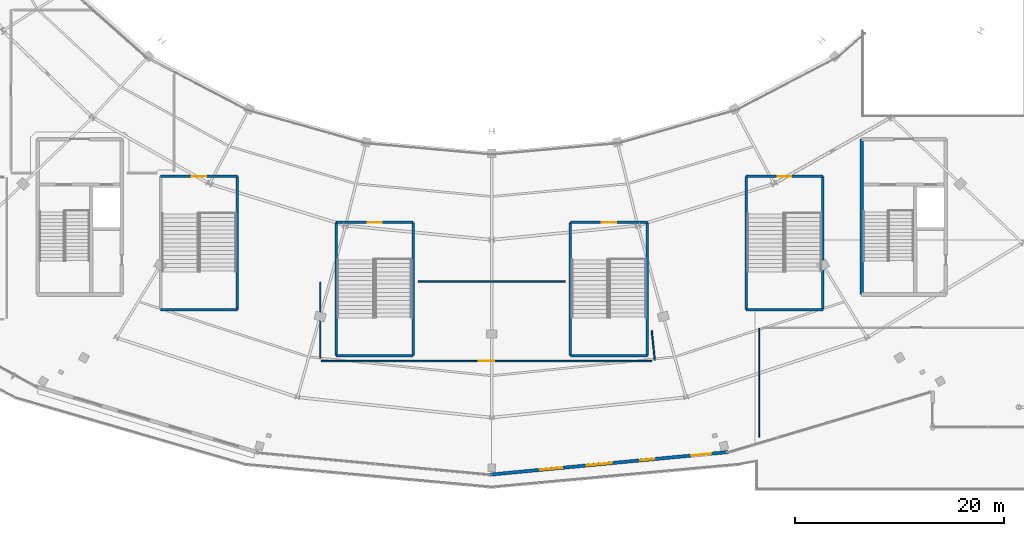
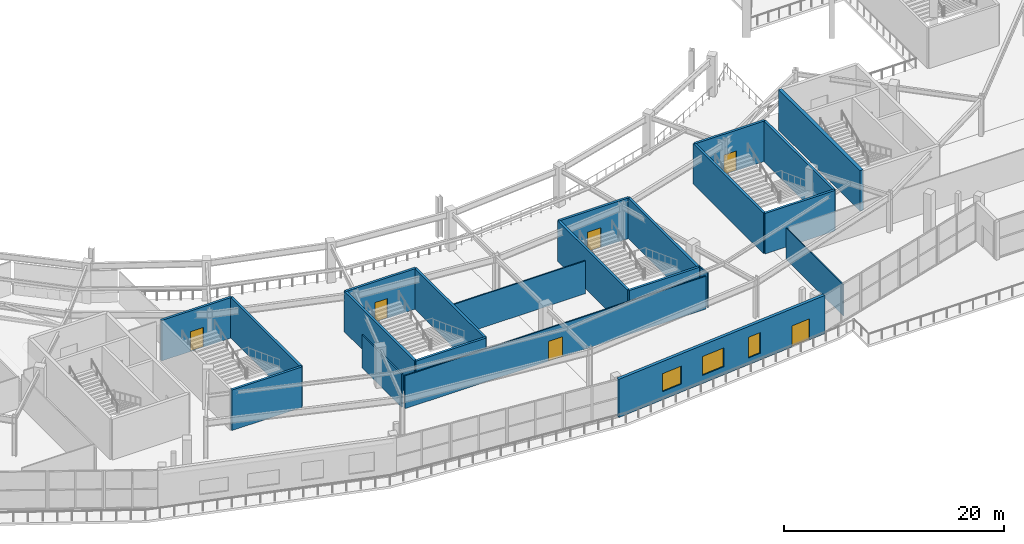
# One storey, part 76 of 107: 22 walls, 6 doors, 3 windows, 9 openings.
"""IFC4 building model written with IfcOpenShell, lengths in metres."""

from ifc_helpers import new_model, si_unit, direction, frame, frame_2d, origin, place, context, subcontext, project, spatial, rectangle, extrude, material, layer, layer_set, type_object, element, fill, save


model = new_model("IFC4")

# Units and contexts
model_context = context("Model", 3, precision=1e-05, world=origin(), true_north=direction((0.0, 1.0)))
body_context = subcontext(model_context, "Body", "Model", "MODEL_VIEW")
ifc_project = project(units=[si_unit("LENGTHUNIT", "METRE"), si_unit("AREAUNIT", "SQUARE_METRE"), si_unit("VOLUMEUNIT", "CUBIC_METRE"), si_unit("PLANEANGLEUNIT", "RADIAN"), si_unit("MASSUNIT", "GRAM", prefix="KILO")], contexts=[model_context])

# Site, building, storey
site_placement = place(None, origin())
site = spatial("IfcSite", under=ifc_project, at=site_placement, CompositionType="ELEMENT")
building_placement = place(site_placement, origin())
building = spatial("IfcBuilding", under=site, at=building_placement, Name="Kalgoora Escarpment Arena", CompositionType="ELEMENT")
storey_placement = place(building_placement, frame((0.0, 0.0, 5.39990234375)))
storey = spatial("IfcBuildingStorey", under=building, at=storey_placement, Name="L01", CompositionType="ELEMENT", Elevation=5.39990234375)

# Walls
ifc_material_1 = material(Name="Concrete N50 (fc' 50 MPa)", Category="concrete")
ifc_layer_1 = layer(ifc_material_1, 0.35009765625)
ifc_layer_set_1 = layer_set([ifc_layer_1], Name="WAL-CORE-350")
wall_type_1 = type_object("IfcWallType", Name="WAL-CORE-350", PredefinedType="SHEAR", material=ifc_layer_set_1)
wall_1_placement = place(storey_placement, frame((127.77490234375, 18.77490234375, 0.0), z_axis=(0.0, 0.0, 1.0), x_axis=(0.0, 1.0, 0.0)))
element("IfcWall", 1, at=wall_1_placement, inside=storey, type_object=wall_type_1, Name="Core C6 L01 west shear wall", PredefinedType="SHEAR", context=body_context, shape_type="SweptSolid", body=[
    extrude(rectangle(XDim=14.85009765625, YDim=0.35009765625, at=frame_2d((7.425048828125, 0.0))), origin(), (0.0, 0.0, 1.0), 4.5),
])
ifc_material_2 = material(Name="Hospitality acoustic drywall partition", Category="gypsum")
ifc_layer_2 = layer(ifc_material_2, 0.135009765625)
ifc_layer_set_2 = layer_set([ifc_layer_2], Name="WAL-DIN-135")
wall_type_2 = type_object("IfcWallType", Name="WAL-DIN-135", PredefinedType="PARTITIONING", material=ifc_layer_set_2)
wall_2_placement = place(storey_placement, frame((85.375, 20.0, 0.0), z_axis=(0.0, 0.0, 1.0), x_axis=(1.0, 0.0, 0.0)))
element("IfcWall", 2, at=wall_2_placement, inside=storey, type_object=wall_type_2, Name="L01 South Concession Kitchen partition wall", PredefinedType="PARTITIONING", context=body_context, shape_type="SweptSolid", body=[
    extrude(rectangle(XDim=14.050048828125, YDim=0.135009765625, at=frame_2d((7.02490234375, 0.0))), origin(), (0.0, 0.0, 1.0), 3.64208984375),
])
wall_3_placement = place(storey_placement, frame((107.703125, 15.330810546875, 0.0), z_axis=(0.0, 0.0, 1.0), x_axis=(0.10077723819, -0.994909015068, 0.0)))
element("IfcWall", 3, at=wall_3_placement, inside=storey, type_object=wall_type_2, Name="L01 South Concession Kitchen partition wall", PredefinedType="PARTITIONING", context=body_context, shape_type="SweptSolid", body=[
    extrude(rectangle(XDim=2.865966796875, YDim=0.135009765625, at=frame_2d((1.43310546875, 0.0))), origin(), (0.0, 0.0, 1.0), 3.822998046875),
])

# Wall, opening, door
wall_4_placement = place(storey_placement, frame((107.70703125, 12.39990234375, 0.0), z_axis=(0.0, 0.0, 1.0), x_axis=(-1.0, 0.0, 0.0)))
wall_4 = element("IfcWall", 4, at=wall_4_placement, inside=storey, type_object=wall_type_2, Name="L01 South Concession Kitchen partition wall", PredefinedType="PARTITIONING", context=body_context, shape_type="SweptSolid", body=[
    extrude(rectangle(XDim=31.626953125, YDim=0.135009765625, at=frame_2d((15.8134765625, 0.0))), origin(), (0.0, 0.0, 1.0), 3.64208984375),
])
opening_1_placement = place(wall_4_placement, frame((15.0634765625, 0.0, 0.0)))
opening_1 = element("IfcOpeningElement", 5, at=opening_1_placement, cuts=wall_4, Name="Opening FD-I068", PredefinedType="OPENING", context=body_context, shape_type="SweptSolid", body=[
    extrude(rectangle(XDim=1.5, YDim=2.199951171875, at=frame_2d((0.75, 1.10009765625))), frame((0.0, 0.077392578125, 0.0), z_axis=(0.0, -1.0, 0.0), x_axis=(1.0, 0.0, 0.0)), (0.0, 0.0, 1.0), 0.155029296875),
])
ifc_material_3 = material(Name="Stainless-clad fire-rated kitchen double door")
door_type_1 = type_object("IfcDoorType", Name="DR-KIT-1500", OperationType="NOTDEFINED", PredefinedType="DOOR", material=ifc_material_3)
door_1_placement = place(opening_1_placement, origin())
door_1 = element("IfcDoor", 6, at=door_1_placement, inside=storey, type_object=door_type_1, Name="South Concession Kitchen entrance door", OperationType="DOUBLE_DOOR_SINGLE_SWING", OverallHeight=2.199951171875, OverallWidth=1.5, PredefinedType="DOOR", context=body_context, shape_type="SweptSolid", body=[
    extrude(rectangle(XDim=1.5, YDim=2.199951171875, at=frame_2d((0.75, 1.10009765625))), frame((0.0, 0.02490234375, 0.0), z_axis=(0.0, -1.0, 0.0), x_axis=(1.0, 0.0, 0.0)), (0.0, 0.0, 1.0), 0.050048828125),
])
fill(opening_1, door_1)

# Wall
wall_5_placement = place(storey_placement, frame((76.0, 12.684814453125, 0.0), z_axis=(0.0, 0.0, 1.0), x_axis=(0.0, 1.0, 0.0)))
element("IfcWall", 7, at=wall_5_placement, inside=storey, type_object=wall_type_2, Name="L01 South Concession Kitchen partition wall", PredefinedType="PARTITIONING", context=body_context, shape_type="SweptSolid", body=[
    extrude(rectangle(XDim=7.235107421875, YDim=0.135009765625, at=frame_2d((3.61767578125, 0.0))), origin(), (0.0, 0.0, 1.0), 3.68212890625),
])

# Wall, openings, door, windows
ifc_material_4 = material(Name="Insulated limestone cladding precast wall 40 MPa", Category="masonry")
ifc_layer_3 = layer(ifc_material_4, 0.31494140625)
ifc_layer_set_3 = layer_set([ifc_layer_3], Name="WAL-EXT-315")
wall_type_3 = type_object("IfcWallType", Name="WAL-EXT-315", PredefinedType="SOLIDWALL", material=ifc_layer_set_3)
wall_6_placement = place(storey_placement, frame((115.084228515625, 3.70703125, 0.0), z_axis=(0.0, 0.0, 1.0), x_axis=(-0.995543183051, -0.094306790217, 0.0)))
wall_6 = element("IfcWall", 8, at=wall_6_placement, inside=storey, type_object=wall_type_3, Name="L01 limestone-faced external wall 026", PredefinedType="SOLIDWALL", context=body_context, shape_type="SweptSolid", body=[
    extrude(rectangle(XDim=22.9833984375, YDim=0.31494140625, at=frame_2d((11.49169921875, 0.0))), origin(), (0.0, 0.0, 1.0), 4.25),
])
opening_2_placement = place(wall_6_placement, frame((1.68310546875, 0.0, 0.0)))
opening_2 = element("IfcOpeningElement", 9, at=opening_2_placement, cuts=wall_6, Name="Opening TD18", PredefinedType="OPENING", context=body_context, shape_type="SweptSolid", body=[
    extrude(rectangle(XDim=1.949951171875, YDim=2.35009765625, at=frame_2d((0.97509765625, 1.175048828125))), frame((0.0, 0.16748046875, 0.0), z_axis=(0.0, -1.0, 0.0), x_axis=(1.0, 0.0, 0.0)), (0.0, 0.0, 1.0), 0.3349609375),
])
opening_3_placement = place(wall_6_placement, frame((7.175048828125, 0.0, 0.75)))
opening_3 = element("IfcOpeningElement", 10, at=opening_3_placement, cuts=wall_6, Name="Opening W-04", PredefinedType="OPENING", context=body_context, shape_type="SweptSolid", body=[
    extrude(rectangle(XDim=1.35009765625, YDim=2.300048828125, at=frame_2d((0.675048828125, 1.14990234375))), frame((0.0, 0.16748046875, 0.0), z_axis=(0.0, -1.0, 0.0), x_axis=(1.0, 0.0, 0.0)), (0.0, 0.0, 1.0), 0.3349609375),
])
opening_4_placement = place(wall_6_placement, frame((11.25, 0.0, 0.89990234375)))
opening_4 = element("IfcOpeningElement", 11, at=opening_4_placement, cuts=wall_6, Name="Opening W-06", PredefinedType="OPENING", context=body_context, shape_type="SweptSolid", body=[
    extrude(rectangle(XDim=2.39990234375, YDim=2.10009765625, at=frame_2d((1.199951171875, 1.050048828125))), frame((0.0, 0.16748046875, 0.0), z_axis=(0.0, -1.0, 0.0), x_axis=(1.0, 0.0, 0.0)), (0.0, 0.0, 1.0), 0.3349609375),
])
opening_5_placement = place(wall_6_placement, frame((16.0, 0.0, 0.89990234375)))
opening_5 = element("IfcOpeningElement", 12, at=opening_5_placement, cuts=wall_6, Name="Opening W-08", PredefinedType="OPENING", context=body_context, shape_type="SweptSolid", body=[
    extrude(rectangle(XDim=2.10009765625, YDim=2.0, at=frame_2d((1.050048828125, 1.0))), frame((0.0, 0.16748046875, 0.0), z_axis=(0.0, -1.0, 0.0), x_axis=(1.0, 0.0, 0.0)), (0.0, 0.0, 1.0), 0.3349609375),
])
ifc_material_5 = material(Name="Thermally broken aluminium glazed terrace double door", Category="aluminium")
door_type_2 = type_object("IfcDoorType", Name="DR-TERR-1950", OperationType="NOTDEFINED", PredefinedType="DOOR", material=ifc_material_5)
door_2_placement = place(opening_2_placement, origin())
door_2 = element("IfcDoor", 13, at=door_2_placement, inside=storey, type_object=door_type_2, Name="Lower Planted Elliptical Garden Promenade access door TD18", OperationType="DOUBLE_DOOR_SINGLE_SWING", OverallHeight=2.35009765625, OverallWidth=1.949951171875, PredefinedType="DOOR", context=body_context, shape_type="SweptSolid", body=[
    extrude(rectangle(XDim=1.949951171875, YDim=2.35009765625, at=frame_2d((0.97509765625, 1.175048828125))), frame((0.0, 0.02490234375, 0.0), z_axis=(0.0, -1.0, 0.0), x_axis=(1.0, 0.0, 0.0)), (0.0, 0.0, 1.0), 0.050048828125),
])
fill(opening_2, door_2)
ifc_material_6 = material(Name="Low-E solar-control double glazing in champagne frame", Category="glass")
window_type_1 = type_object("IfcWindowType", Name="WIN-DECO-1350x2300", PartitioningType="SINGLE_PANEL", PredefinedType="WINDOW", material=ifc_material_6)
window_1_placement = place(opening_3_placement, origin())
window_1 = element("IfcWindow", 14, at=window_1_placement, inside=storey, type_object=window_type_1, Name="L01 scheduled facade window 003", OverallHeight=2.300048828125, OverallWidth=1.35009765625, PartitioningType="SINGLE_PANEL", PredefinedType="WINDOW", context=body_context, shape_type="SweptSolid", body=[
    extrude(rectangle(XDim=1.35009765625, YDim=2.300048828125, at=frame_2d((0.675048828125, 1.14990234375))), frame((0.0, 0.030029296875, 0.0), z_axis=(0.0, -1.0, 0.0), x_axis=(1.0, 0.0, 0.0)), (0.0, 0.0, 1.0), 0.06005859375),
])
fill(opening_3, window_1)
ifc_material_7 = material(Name="Low-E solar-control double glazing in champagne frame", Category="glass")
window_type_2 = type_object("IfcWindowType", Name="WIN-DECO-2100x2000", PartitioningType="SINGLE_PANEL", PredefinedType="WINDOW", material=ifc_material_7)
window_2_placement = place(opening_5_placement, origin())
window_2 = element("IfcWindow", 15, at=window_2_placement, inside=storey, type_object=window_type_2, Name="L01 scheduled facade window 005", OverallHeight=2.0, OverallWidth=2.10009765625, PartitioningType="SINGLE_PANEL", PredefinedType="WINDOW", context=body_context, shape_type="SweptSolid", body=[
    extrude(rectangle(XDim=2.10009765625, YDim=2.0, at=frame_2d((1.050048828125, 1.0))), frame((0.0, 0.030029296875, 0.0), z_axis=(0.0, -1.0, 0.0), x_axis=(1.0, 0.0, 0.0)), (0.0, 0.0, 1.0), 0.06005859375),
])
fill(opening_5, window_2)
ifc_material_8 = material(Name="Low-E solar-control double glazing in champagne frame", Category="glass")
window_type_3 = type_object("IfcWindowType", Name="WIN-DECO-2400x2100", PartitioningType="SINGLE_PANEL", PredefinedType="WINDOW", material=ifc_material_8)
window_3_placement = place(opening_4_placement, origin())
window_3 = element("IfcWindow", 16, at=window_3_placement, inside=storey, type_object=window_type_3, Name="L01 scheduled facade window 004", OverallHeight=2.10009765625, OverallWidth=2.39990234375, PartitioningType="SINGLE_PANEL", PredefinedType="WINDOW", context=body_context, shape_type="SweptSolid", body=[
    extrude(rectangle(XDim=2.39990234375, YDim=2.10009765625, at=frame_2d((1.199951171875, 1.050048828125))), frame((0.0, 0.030029296875, 0.0), z_axis=(0.0, -1.0, 0.0), x_axis=(1.0, 0.0, 0.0)), (0.0, 0.0, 1.0), 0.06005859375),
])
fill(opening_4, window_3)

# Walls
ifc_material_9 = material(Name="Framed acoustic studio partition", Category="gypsum")
ifc_layer_4 = layer(ifc_material_9, 0.10498046875)
ifc_layer_set_4 = layer_set([ifc_layer_4], Name="WAL-GLZ-105")
wall_type_4 = type_object("IfcWallType", Name="WAL-GLZ-105", PredefinedType="PARTITIONING", material=ifc_layer_set_4)
wall_7_placement = place(storey_placement, frame((118.0, 5.126708984375, 0.0), z_axis=(0.0, 0.0, 1.0), x_axis=(0.0, 1.0, 0.0)))
element("IfcWall", 17, at=wall_7_placement, inside=storey, type_object=wall_type_4, Name="L01 Western Heritage Exhibition partition wall", PredefinedType="PARTITIONING", context=body_context, shape_type="SweptSolid", body=[
    extrude(rectangle(XDim=10.393310546875, YDim=0.10498046875, at=frame_2d((5.19677734375, 0.0))), origin(), (0.0, 0.0, 1.0), 3.47509765625),
])
ifc_material_10 = material(Name="Concrete N50 (fc' 50 MPa)", Category="concrete")
ifc_layer_5 = layer(ifc_material_10, 0.25)
ifc_layer_set_5 = layer_set([ifc_layer_5], Name="WAL-STAIR-250")
wall_type_5 = type_object("IfcWallType", Name="WAL-STAIR-250", PredefinedType="SHEAR", material=ifc_layer_set_5)
wall_8_placement = place(storey_placement, frame((60.72509765625, 17.324951171875, 0.0), z_axis=(0.0, 0.0, 1.0), x_axis=(1.0, 0.0, 0.0)))
element("IfcWall", 18, at=wall_8_placement, inside=storey, type_object=wall_type_5, Name="Exit stair ST13 L01 south wall", PredefinedType="SHEAR", context=body_context, shape_type="SweptSolid", body=[
    extrude(rectangle(XDim=7.349853515625, YDim=0.25, at=frame_2d((3.6748046875, 0.0))), origin(), (0.0, 0.0, 1.0), 4.5),
])

# Wall, opening, door
wall_9_placement = place(storey_placement, frame((60.72509765625, 30.074951171875, 0.0), z_axis=(0.0, 0.0, 1.0), x_axis=(1.0, 0.0, 0.0)))
wall_9 = element("IfcWall", 19, at=wall_9_placement, inside=storey, type_object=wall_type_5, Name="Exit stair ST13 L01 north wall", PredefinedType="SHEAR", context=body_context, shape_type="SweptSolid", body=[
    extrude(rectangle(XDim=7.349853515625, YDim=0.25, at=frame_2d((3.6748046875, 0.0))), origin(), (0.0, 0.0, 1.0), 4.5),
])
opening_6_placement = place(wall_9_placement, frame((2.97509765625, 0.0, 0.0)))
opening_6 = element("IfcOpeningElement", 20, at=opening_6_placement, cuts=wall_9, Name="Opening FD-ST13", PredefinedType="OPENING", context=body_context, shape_type="SweptSolid", body=[
    extrude(rectangle(XDim=1.39990234375, YDim=2.199951171875, at=frame_2d((0.699951171875, 1.10009765625))), frame((0.0, 0.135009765625, 0.0), z_axis=(0.0, -1.0, 0.0), x_axis=(1.0, 0.0, 0.0)), (0.0, 0.0, 1.0), 0.27001953125),
])
ifc_material_11 = material(Name="Fire-rated steel stair leaf with vision panel", Category="steel")
door_type_3 = type_object("IfcDoorType", Name="DR-STAIR-1400", OperationType="NOTDEFINED", PredefinedType="DOOR", material=ifc_material_11)
door_3_placement = place(opening_6_placement, origin())
door_3 = element("IfcDoor", 21, at=door_3_placement, inside=storey, type_object=door_type_3, Name="Fire-isolated stair ST13 L01 egress door", OperationType="SINGLE_SWING_LEFT", OverallHeight=2.199951171875, OverallWidth=1.39990234375, PredefinedType="DOOR", context=body_context, shape_type="SweptSolid", body=[
    extrude(rectangle(XDim=1.39990234375, YDim=2.199951171875, at=frame_2d((0.699951171875, 1.10009765625))), frame((0.0, 0.02490234375, 0.0), z_axis=(0.0, -1.0, 0.0), x_axis=(1.0, 0.0, 0.0)), (0.0, 0.0, 1.0), 0.050048828125),
])
fill(opening_6, door_3)

# Walls
wall_10_placement = place(storey_placement, frame((68.074951171875, 17.324951171875, 0.0), z_axis=(0.0, 0.0, 1.0), x_axis=(0.0, 1.0, 0.0)))
element("IfcWall", 22, at=wall_10_placement, inside=storey, type_object=wall_type_5, Name="Exit stair ST13 L01 east wall", PredefinedType="SHEAR", context=body_context, shape_type="SweptSolid", body=[
    extrude(rectangle(XDim=12.75, YDim=0.25, at=frame_2d((6.375, 0.0))), origin(), (0.0, 0.0, 1.0), 4.5),
])
wall_11_placement = place(storey_placement, frame((77.52490234375, 12.925048828125, 0.0), z_axis=(0.0, 0.0, 1.0), x_axis=(1.0, 0.0, 0.0)))
element("IfcWall", 23, at=wall_11_placement, inside=storey, type_object=wall_type_5, Name="Exit stair ST14 L01 south wall", PredefinedType="SHEAR", context=body_context, shape_type="SweptSolid", body=[
    extrude(rectangle(XDim=7.35009765625, YDim=0.25, at=frame_2d((3.675048828125, 0.0))), origin(), (0.0, 0.0, 1.0), 4.5),
])

# Wall, opening, door
wall_12_placement = place(storey_placement, frame((77.52490234375, 25.675048828125, 0.0), z_axis=(0.0, 0.0, 1.0), x_axis=(1.0, 0.0, 0.0)))
wall_12 = element("IfcWall", 24, at=wall_12_placement, inside=storey, type_object=wall_type_5, Name="Exit stair ST14 L01 north wall", PredefinedType="SHEAR", context=body_context, shape_type="SweptSolid", body=[
    extrude(rectangle(XDim=7.35009765625, YDim=0.25, at=frame_2d((3.675048828125, 0.0))), origin(), (0.0, 0.0, 1.0), 4.5),
])
opening_7_placement = place(wall_12_placement, frame((3.014892578125, 0.0, 0.0)))
opening_7 = element("IfcOpeningElement", 25, at=opening_7_placement, cuts=wall_12, Name="Opening FD-ST14", PredefinedType="OPENING", context=body_context, shape_type="SweptSolid", body=[
    extrude(rectangle(XDim=1.320068359375, YDim=2.199951171875, at=frame_2d((0.66015625, 1.10009765625))), frame((0.0, 0.135009765625, 0.0), z_axis=(0.0, -1.0, 0.0), x_axis=(1.0, 0.0, 0.0)), (0.0, 0.0, 1.0), 0.27001953125),
])
ifc_material_12 = material(Name="Fire-rated steel stair leaf with vision panel", Category="steel")
door_type_4 = type_object("IfcDoorType", Name="DR-STAIR-1320", OperationType="NOTDEFINED", PredefinedType="DOOR", material=ifc_material_12)
door_4_placement = place(opening_7_placement, origin())
door_4 = element("IfcDoor", 26, at=door_4_placement, inside=storey, type_object=door_type_4, Name="Fire-isolated stair ST14 L01 egress door", OperationType="SINGLE_SWING_LEFT", OverallHeight=2.199951171875, OverallWidth=1.320068359375, PredefinedType="DOOR", context=body_context, shape_type="SweptSolid", body=[
    extrude(rectangle(XDim=1.320068359375, YDim=2.199951171875, at=frame_2d((0.66015625, 1.10009765625))), frame((0.0, 0.02490234375, 0.0), z_axis=(0.0, -1.0, 0.0), x_axis=(1.0, 0.0, 0.0)), (0.0, 0.0, 1.0), 0.050048828125),
])
fill(opening_7, door_4)

# Walls
for number, where, z_axis, x_axis, name in (
    (27, (77.52490234375, 12.925048828125, 0.0), (0.0, 0.0, 1.0), (0.0, 1.0, 0.0), "Exit stair ST14 L01 west wall"),
    (28, (84.875, 12.925048828125, 0.0), (0.0, 0.0, 1.0), (0.0, 1.0, 0.0), "Exit stair ST14 L01 east wall"),
):
    element("IfcWall", number, at=place(storey_placement, frame(where, z_axis=z_axis, x_axis=x_axis)), inside=storey, type_object=wall_type_5, Name=name, PredefinedType="SHEAR", context=body_context, shape_type="SweptSolid", body=[
        extrude(rectangle(XDim=12.75, YDim=0.25, at=frame_2d((6.375, 0.0))), origin(), (0.0, 0.0, 1.0), 4.5),
    ])
wall_13_placement = place(storey_placement, frame((99.925048828125, 12.925048828125, 0.0), z_axis=(0.0, 0.0, 1.0), x_axis=(1.0, 0.0, 0.0)))
element("IfcWall", 29, at=wall_13_placement, inside=storey, type_object=wall_type_5, Name="Exit stair ST15 L01 south wall", PredefinedType="SHEAR", context=body_context, shape_type="SweptSolid", body=[
    extrude(rectangle(XDim=7.349853515625, YDim=0.25, at=frame_2d((3.6748046875, 0.0))), origin(), (0.0, 0.0, 1.0), 4.5),
])

# Wall, opening, door
wall_14_placement = place(storey_placement, frame((99.925048828125, 25.675048828125, 0.0), z_axis=(0.0, 0.0, 1.0), x_axis=(1.0, 0.0, 0.0)))
wall_14 = element("IfcWall", 30, at=wall_14_placement, inside=storey, type_object=wall_type_5, Name="Exit stair ST15 L01 north wall", PredefinedType="SHEAR", context=body_context, shape_type="SweptSolid", body=[
    extrude(rectangle(XDim=7.349853515625, YDim=0.25, at=frame_2d((3.6748046875, 0.0))), origin(), (0.0, 0.0, 1.0), 4.5),
])
opening_8_placement = place(wall_14_placement, frame((2.97509765625, 0.0, 0.0)))
opening_8 = element("IfcOpeningElement", 31, at=opening_8_placement, cuts=wall_14, Name="Opening FD-ST15", PredefinedType="OPENING", context=body_context, shape_type="SweptSolid", body=[
    extrude(rectangle(XDim=1.39990234375, YDim=2.199951171875, at=frame_2d((0.699951171875, 1.10009765625))), frame((0.0, 0.135009765625, 0.0), z_axis=(0.0, -1.0, 0.0), x_axis=(1.0, 0.0, 0.0)), (0.0, 0.0, 1.0), 0.27001953125),
])
door_5_placement = place(opening_8_placement, origin())
door_5 = element("IfcDoor", 32, at=door_5_placement, inside=storey, type_object=door_type_3, Name="Fire-isolated stair ST15 L01 egress door", OperationType="SINGLE_SWING_RIGHT", OverallHeight=2.199951171875, OverallWidth=1.39990234375, PredefinedType="DOOR", context=body_context, shape_type="SweptSolid", body=[
    extrude(rectangle(XDim=1.39990234375, YDim=2.199951171875, at=frame_2d((0.699951171875, 1.10009765625))), frame((0.0, 0.02490234375, 0.0), z_axis=(0.0, -1.0, 0.0), x_axis=(1.0, 0.0, 0.0)), (0.0, 0.0, 1.0), 0.050048828125),
])
fill(opening_8, door_5)

# Walls
for number, where, z_axis, x_axis, name in (
    (33, (99.925048828125, 12.925048828125, 0.0), (0.0, 0.0, 1.0), (0.0, 1.0, 0.0), "Exit stair ST15 L01 west wall"),
    (34, (107.27490234375, 12.925048828125, 0.0), (0.0, 0.0, 1.0), (0.0, 1.0, 0.0), "Exit stair ST15 L01 east wall"),
):
    element("IfcWall", number, at=place(storey_placement, frame(where, z_axis=z_axis, x_axis=x_axis)), inside=storey, type_object=wall_type_5, Name=name, PredefinedType="SHEAR", context=body_context, shape_type="SweptSolid", body=[
        extrude(rectangle(XDim=12.75, YDim=0.25, at=frame_2d((6.375, 0.0))), origin(), (0.0, 0.0, 1.0), 4.5),
    ])
wall_15_placement = place(storey_placement, frame((116.72509765625, 17.324951171875, 0.0), z_axis=(0.0, 0.0, 1.0), x_axis=(1.0, 0.0, 0.0)))
element("IfcWall", 35, at=wall_15_placement, inside=storey, type_object=wall_type_5, Name="Exit stair ST16 L01 south wall", PredefinedType="SHEAR", context=body_context, shape_type="SweptSolid", body=[
    extrude(rectangle(XDim=7.349853515625, YDim=0.25, at=frame_2d((3.6748046875, 0.0))), origin(), (0.0, 0.0, 1.0), 4.5),
])

# Wall, opening, door
wall_16_placement = place(storey_placement, frame((116.72509765625, 30.074951171875, 0.0), z_axis=(0.0, 0.0, 1.0), x_axis=(1.0, 0.0, 0.0)))
wall_16 = element("IfcWall", 36, at=wall_16_placement, inside=storey, type_object=wall_type_5, Name="Exit stair ST16 L01 north wall", PredefinedType="SHEAR", context=body_context, shape_type="SweptSolid", body=[
    extrude(rectangle(XDim=7.349853515625, YDim=0.25, at=frame_2d((3.6748046875, 0.0))), origin(), (0.0, 0.0, 1.0), 4.5),
])
opening_9_placement = place(wall_16_placement, frame((3.014892578125, 0.0, 0.0)))
opening_9 = element("IfcOpeningElement", 37, at=opening_9_placement, cuts=wall_16, Name="Opening FD-ST16", PredefinedType="OPENING", context=body_context, shape_type="SweptSolid", body=[
    extrude(rectangle(XDim=1.320068359375, YDim=2.199951171875, at=frame_2d((0.66015625, 1.10009765625))), frame((0.0, 0.135009765625, 0.0), z_axis=(0.0, -1.0, 0.0), x_axis=(1.0, 0.0, 0.0)), (0.0, 0.0, 1.0), 0.27001953125),
])
door_6_placement = place(opening_9_placement, origin())
door_6 = element("IfcDoor", 38, at=door_6_placement, inside=storey, type_object=door_type_4, Name="Fire-isolated stair ST16 L01 egress door", OperationType="SINGLE_SWING_RIGHT", OverallHeight=2.199951171875, OverallWidth=1.320068359375, PredefinedType="DOOR", context=body_context, shape_type="SweptSolid", body=[
    extrude(rectangle(XDim=1.320068359375, YDim=2.199951171875, at=frame_2d((0.66015625, 1.10009765625))), frame((0.0, 0.02490234375, 0.0), z_axis=(0.0, -1.0, 0.0), x_axis=(1.0, 0.0, 0.0)), (0.0, 0.0, 1.0), 0.050048828125),
])
fill(opening_9, door_6)

# Walls
for number, where, z_axis, x_axis, name in (
    (39, (116.72509765625, 17.324951171875, 0.0), (0.0, 0.0, 1.0), (0.0, 1.0, 0.0), "Exit stair ST16 L01 west wall"),
    (40, (124.074951171875, 17.324951171875, 0.0), (0.0, 0.0, 1.0), (0.0, 1.0, 0.0), "Exit stair ST16 L01 east wall"),
):
    element("IfcWall", number, at=place(storey_placement, frame(where, z_axis=z_axis, x_axis=x_axis)), inside=storey, type_object=wall_type_5, Name=name, PredefinedType="SHEAR", context=body_context, shape_type="SweptSolid", body=[
        extrude(rectangle(XDim=12.75, YDim=0.25, at=frame_2d((6.375, 0.0))), origin(), (0.0, 0.0, 1.0), 4.5),
    ])

save(model, "model.ifc")
